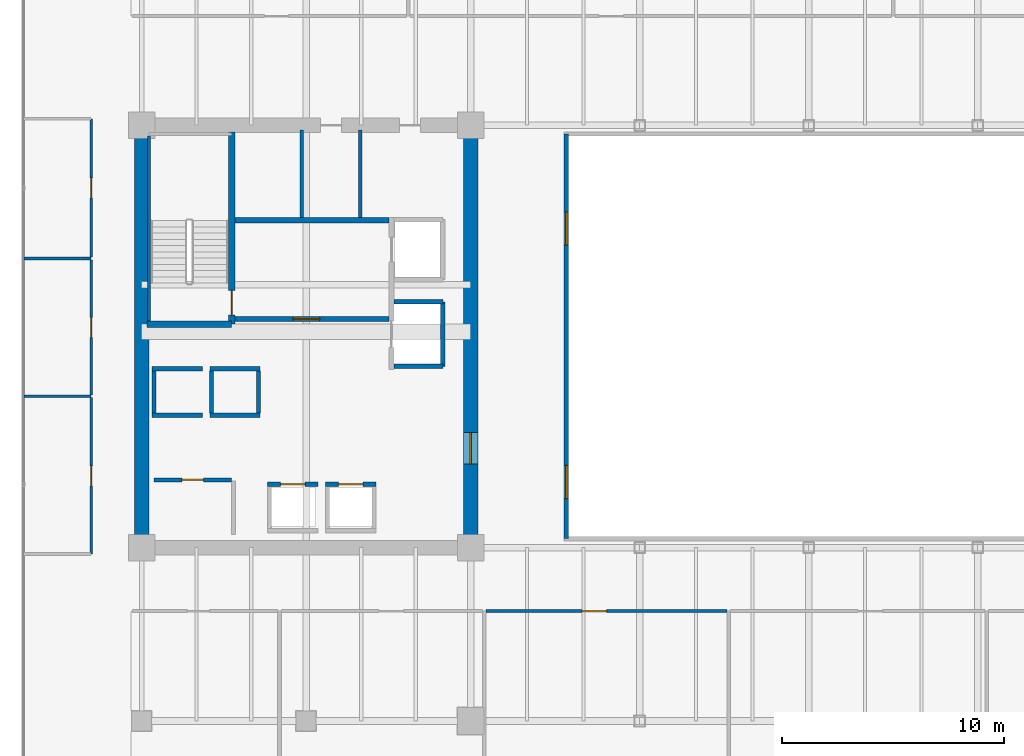
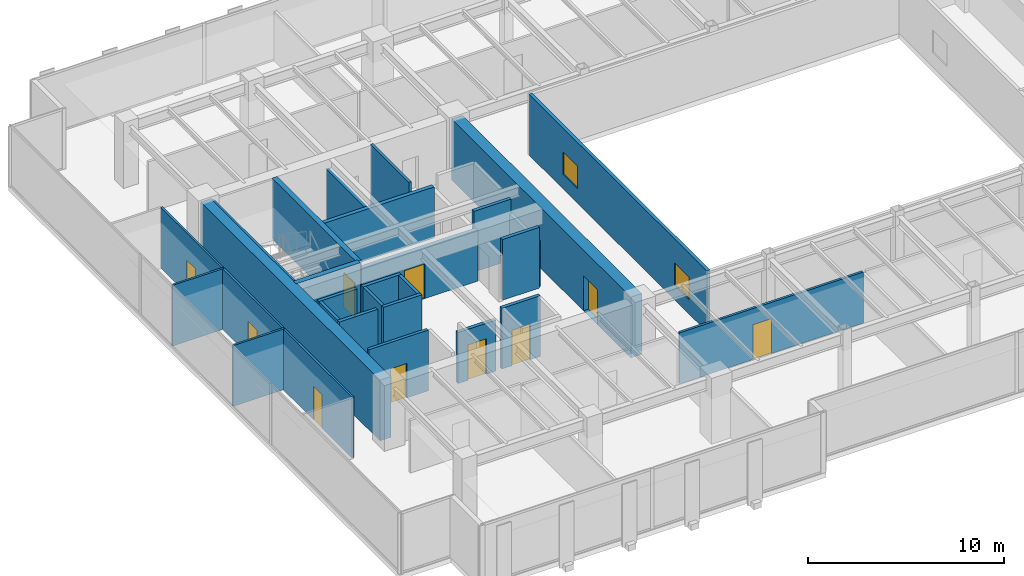
# One storey, part 25 of 34: 29 walls, 10 doors, 2 windows, 12 openings.
"""IFC4 building model written with IfcOpenShell, lengths in metres."""

from ifc_helpers import new_model, si_unit, direction, frame, frame_2d, origin, place, context, subcontext, project, spatial, rectangle, extrude, source, transform, mapped, material, layer, layer_set, type_object, type_shapes, element, fill, save


model = new_model("IFC4")

# Units and contexts
model_context = context("Model", 3, precision=1e-05, world=origin(), true_north=direction((0.0, 1.0)))
body_context = subcontext(model_context, "Body", "Model", "MODEL_VIEW")
ifc_project = project(units=[si_unit("LENGTHUNIT", "METRE"), si_unit("AREAUNIT", "SQUARE_METRE"), si_unit("VOLUMEUNIT", "CUBIC_METRE"), si_unit("PLANEANGLEUNIT", "RADIAN"), si_unit("MASSUNIT", "GRAM", prefix="KILO")], contexts=[model_context])

# Site, building, storey
site_placement = place(None, origin())
site = spatial("IfcSite", under=ifc_project, at=site_placement, CompositionType="ELEMENT")
building_placement = place(site_placement, origin())
building = spatial("IfcBuilding", under=site, at=building_placement, Name="Haelvirn Gate Laboratories", CompositionType="ELEMENT")
storey_placement = place(building_placement, frame((0.0, 0.0, 158.39990234375)))
storey = spatial("IfcBuildingStorey", under=building, at=storey_placement, Name="L38", CompositionType="ELEMENT", Elevation=158.39990234375)

# Wall, openings, windows
ifc_material_1 = material(Name="Tempered fire-rated borosilicate glass & anodised aluminium", Category="aluminium")
ifc_layer_1 = layer(ifc_material_1, 0.195068359375, Name="IW-GLAZ-200")
ifc_layer_set_1 = layer_set([ifc_layer_1], Name="Tempered fire-rated borosilicate glass & anodised aluminium")
wall_type_1 = type_object("IfcWallType", Name="IW-GLAZ-200", PredefinedType="SOLIDWALL", material=ifc_layer_set_1)
wall_1_placement = place(storey_placement, frame((26.5, 15.199951171875, 0.0), z_axis=(0.0, 0.0, 1.0), x_axis=(0.0, 1.0, 0.0)))
wall_1 = element("IfcWall", 1, at=wall_1_placement, inside=storey, type_object=wall_type_1, Name="L38 Interior Wall IW-L38-ATRIUM-W", PredefinedType="SOLIDWALL", context=body_context, shape_type="SweptSolid", body=[
    extrude(rectangle(XDim=18.199951171875, YDim=0.195068359375, at=frame_2d((9.10009765625, 0.0))), origin(), (0.0, 0.0, 1.0), 3.7900390625),
])
opening_1_placement = place(wall_1_placement, frame((1.800048828125, 0.0, 0.89990234375)))
opening_1 = element("IfcOpeningElement", 2, at=opening_1_placement, cuts=wall_1, Name="Opening W5", PredefinedType="OPENING", context=body_context, shape_type="SweptSolid", body=[
    extrude(rectangle(XDim=1.5, YDim=1.39990234375, at=frame_2d((0.75, 0.699951171875))), frame((0.0, 0.107421875, 0.0), z_axis=(0.0, -1.0, 0.0), x_axis=(1.0, 0.0, 0.0)), (0.0, 0.0, 1.0), 0.215087890625),
])
opening_2_placement = place(wall_1_placement, frame((13.199951171875, 0.0, 0.89990234375)))
opening_2 = element("IfcOpeningElement", 3, at=opening_2_placement, cuts=wall_1, Name="Opening W5", PredefinedType="OPENING", context=body_context, shape_type="SweptSolid", body=[
    extrude(rectangle(XDim=1.5, YDim=1.39990234375, at=frame_2d((0.75, 0.699951171875))), frame((0.0, 0.107421875, 0.0), z_axis=(0.0, -1.0, 0.0), x_axis=(1.0, 0.0, 0.0)), (0.0, 0.0, 1.0), 0.215087890625),
])
ifc_material_2 = material(Name="Fire-rated EI 120 borosilicate atrium vision glazing", Category="glass")
window_type = type_object("IfcWindowType", Name="WN-ATR-1500", PartitioningType="SINGLE_PANEL", PredefinedType="WINDOW", material=ifc_material_2)
shared_shape_1 = source(origin(), body_context, "Body", "SweptSolid", [
    extrude(rectangle(XDim=1.5, YDim=1.39990234375, at=frame_2d((0.75, 0.699951171875))), frame((0.0, 0.030029296875, 0.0), z_axis=(0.0, -1.0, 0.0), x_axis=(1.0, 0.0, 0.0)), (0.0, 0.0, 1.0), 0.06005859375),
])
type_shapes(window_type, [shared_shape_1])
window_1_placement = place(opening_1_placement, origin())
window_1 = element("IfcWindow", 4, at=window_1_placement, inside=storey, type_object=window_type, Name="L38 Atrium Observation Window 1", OverallHeight=1.39990234375, OverallWidth=1.5, PartitioningType="SINGLE_PANEL", PredefinedType="WINDOW", context=body_context, shape_type="MappedRepresentation", body=[
    mapped(shared_shape_1, transform((0.0, 0.0, 0.0), scale=1.0)),
])
fill(opening_1, window_1)
window_2_placement = place(opening_2_placement, origin())
window_2 = element("IfcWindow", 5, at=window_2_placement, inside=storey, type_object=window_type, Name="L38 Atrium Observation Window 2", OverallHeight=1.39990234375, OverallWidth=1.5, PartitioningType="SINGLE_PANEL", PredefinedType="WINDOW", context=body_context, shape_type="MappedRepresentation", body=[
    mapped(shared_shape_1, transform((0.0, 0.0, 0.0), scale=1.0)),
])
fill(opening_2, window_2)

# Wall, opening, door
ifc_material_3 = material(Name="Lightweight acoustic gypsum board partition", Category="gypsum")
ifc_layer_2 = layer(ifc_material_3, 0.1201171875, Name="IW-PART-120")
ifc_layer_set_2 = layer_set([ifc_layer_2], Name="Lightweight acoustic gypsum board partition")
wall_type_2 = type_object("IfcWallType", Name="IW-PART-120", PredefinedType="PARTITIONING", material=ifc_layer_set_2)
wall_2_placement = place(storey_placement, frame((5.1298828125, 14.514892578125, 0.0), z_axis=(0.0, 0.0, 1.0), x_axis=(0.0, 1.0, 0.0)))
wall_2 = element("IfcWall", 6, at=wall_2_placement, inside=storey, type_object=wall_type_2, Name="L38 Interior Wall IW-L38-WPASS-01", PredefinedType="PARTITIONING", context=body_context, shape_type="SweptSolid", body=[
    extrude(rectangle(XDim=7.025146484375, YDim=0.1201171875, at=frame_2d((3.5126953125, 0.0))), origin(), (0.0, 0.0, 1.0), 3.7900390625),
])
opening_3_placement = place(wall_2_placement, frame((3.0625, 0.0, 0.0)))
opening_3 = element("IfcOpeningElement", 7, at=opening_3_placement, cuts=wall_2, Name="Opening D4", PredefinedType="OPENING", context=body_context, shape_type="SweptSolid", body=[
    extrude(rectangle(XDim=0.89990234375, YDim=2.10009765625, at=frame_2d((0.449951171875, 1.050048828125))), frame((0.0, 0.070068359375, 0.0), z_axis=(0.0, -1.0, 0.0), x_axis=(1.0, 0.0, 0.0)), (0.0, 0.0, 1.0), 0.14013671875),
])
ifc_material_4 = material(Name="Glazed aluminium-framed write-up door", Category="aluminium")
door_type_1 = type_object("IfcDoorType", Name="DR-OFF-900", OperationType="NOTDEFINED", PredefinedType="DOOR", material=ifc_material_4)
shared_shape_2 = source(origin(), body_context, "Body", "SweptSolid", [
    extrude(rectangle(XDim=0.89990234375, YDim=2.10009765625, at=frame_2d((0.449951171875, 1.050048828125))), frame((0.0, 0.02490234375, 0.0), z_axis=(0.0, -1.0, 0.0), x_axis=(1.0, 0.0, 0.0)), (0.0, 0.0, 1.0), 0.050048828125),
])
type_shapes(door_type_1, [shared_shape_2])
door_1_placement = place(opening_3_placement, origin())
door_1 = element("IfcDoor", 8, at=door_1_placement, inside=storey, type_object=door_type_1, Name="L38 Researcher Quiet Study Door W1", OperationType="SINGLE_SWING_LEFT", OverallHeight=2.10009765625, OverallWidth=0.89990234375, PredefinedType="DOOR", context=body_context, shape_type="MappedRepresentation", body=[
    mapped(shared_shape_2, transform((0.0, 0.0, 0.0), scale=1.0)),
])
fill(opening_3, door_1)

# Wall
wall_3_placement = place(storey_placement, frame((2.110107421875, 21.60009765625, 0.0), z_axis=(0.0, 0.0, 1.0), x_axis=(1.0, 0.0, 0.0)))
element("IfcWall", 9, at=wall_3_placement, inside=storey, type_object=wall_type_2, Name="L38 Interior Wall IW-L38-WDIV-01", PredefinedType="PARTITIONING", context=body_context, shape_type="SweptSolid", body=[
    extrude(rectangle(XDim=3.019775390625, YDim=0.1201171875, at=frame_2d((1.509765625, 0.0))), origin(), (0.0, 0.0, 1.0), 3.7900390625),
])

# Wall, opening, door
wall_4_placement = place(storey_placement, frame((5.1298828125, 21.659912109375, 0.0), z_axis=(0.0, 0.0, 1.0), x_axis=(0.0, 1.0, 0.0)))
wall_4 = element("IfcWall", 10, at=wall_4_placement, inside=storey, type_object=wall_type_2, Name="L38 Interior Wall IW-L38-WPASS-02", PredefinedType="PARTITIONING", context=body_context, shape_type="SweptSolid", body=[
    extrude(rectangle(XDim=6.080078125, YDim=0.1201171875, at=frame_2d((3.0400390625, 0.0))), origin(), (0.0, 0.0, 1.0), 3.7900390625),
])
opening_4_placement = place(wall_4_placement, frame((2.590087890625, 0.0, 0.0)))
opening_4 = element("IfcOpeningElement", 11, at=opening_4_placement, cuts=wall_4, Name="Opening D4", PredefinedType="OPENING", context=body_context, shape_type="SweptSolid", body=[
    extrude(rectangle(XDim=0.89990234375, YDim=2.10009765625, at=frame_2d((0.449951171875, 1.050048828125))), frame((0.0, 0.070068359375, 0.0), z_axis=(0.0, -1.0, 0.0), x_axis=(1.0, 0.0, 0.0)), (0.0, 0.0, 1.0), 0.14013671875),
])
door_2_placement = place(opening_4_placement, origin())
door_2 = element("IfcDoor", 12, at=door_2_placement, inside=storey, type_object=door_type_1, Name="L38 Postdoctoral Reading Lounge Door W2", OperationType="SINGLE_SWING_RIGHT", OverallHeight=2.10009765625, OverallWidth=0.89990234375, PredefinedType="DOOR", context=body_context, shape_type="MappedRepresentation", body=[
    mapped(shared_shape_2, transform((0.0, 0.0, 0.0), scale=1.0)),
])
fill(opening_4, door_2)

# Wall
wall_5_placement = place(storey_placement, frame((2.110107421875, 27.800048828125, 0.0), z_axis=(0.0, 0.0, 1.0), x_axis=(1.0, 0.0, 0.0)))
element("IfcWall", 13, at=wall_5_placement, inside=storey, type_object=wall_type_2, Name="L38 Interior Wall IW-L38-WDIV-02", PredefinedType="PARTITIONING", context=body_context, shape_type="SweptSolid", body=[
    extrude(rectangle(XDim=3.019775390625, YDim=0.1201171875, at=frame_2d((1.509765625, 0.0))), origin(), (0.0, 0.0, 1.0), 3.7900390625),
])

# Wall, opening, door
wall_6_placement = place(storey_placement, frame((5.1298828125, 27.860107421875, 0.0), z_axis=(0.0, 0.0, 1.0), x_axis=(0.0, 1.0, 0.0)))
wall_6 = element("IfcWall", 14, at=wall_6_placement, inside=storey, type_object=wall_type_2, Name="L38 Interior Wall IW-L38-WPASS-03", PredefinedType="PARTITIONING", context=body_context, shape_type="SweptSolid", body=[
    extrude(rectangle(XDim=6.224853515625, YDim=0.1201171875, at=frame_2d((3.1123046875, 0.0))), origin(), (0.0, 0.0, 1.0), 3.7900390625),
])
opening_5_placement = place(wall_6_placement, frame((2.66259765625, 0.0, 0.0)))
opening_5 = element("IfcOpeningElement", 15, at=opening_5_placement, cuts=wall_6, Name="Opening D4", PredefinedType="OPENING", context=body_context, shape_type="SweptSolid", body=[
    extrude(rectangle(XDim=0.89990234375, YDim=2.10009765625, at=frame_2d((0.449951171875, 1.050048828125))), frame((0.0, 0.070068359375, 0.0), z_axis=(0.0, -1.0, 0.0), x_axis=(1.0, 0.0, 0.0)), (0.0, 0.0, 1.0), 0.14013671875),
])
door_3_placement = place(opening_5_placement, origin())
door_3 = element("IfcDoor", 16, at=door_3_placement, inside=storey, type_object=door_type_1, Name="L38 Occupational Biosafety Clinic Door W3", OperationType="SINGLE_SWING_LEFT", OverallHeight=2.10009765625, OverallWidth=0.89990234375, PredefinedType="DOOR", context=body_context, shape_type="MappedRepresentation", body=[
    mapped(shared_shape_2, transform((0.0, 0.0, 0.0), scale=1.0)),
])
fill(opening_5, door_3)

ifc_material_5 = material(Name="Acoustic mineral-wool gypsum board partition", Category="gypsum")
ifc_layer_3 = layer(ifc_material_5, 0.139892578125, Name="IW-PART-140")
ifc_layer_set_3 = layer_set([ifc_layer_3], Name="Acoustic mineral-wool gypsum board partition")
wall_type_3 = type_object("IfcWallType", Name="IW-PART-140", PredefinedType="PARTITIONING", material=ifc_layer_set_3)
wall_7_placement = place(storey_placement, frame((22.8798828125, 11.93994140625, 0.0), z_axis=(0.0, 0.0, 1.0), x_axis=(1.0, 0.0, 0.0)))
wall_7 = element("IfcWall", 17, at=wall_7_placement, inside=storey, type_object=wall_type_3, Name="L38 Interior Wall IW-L38-SCORR-03", PredefinedType="PARTITIONING", context=body_context, shape_type="SweptSolid", body=[
    extrude(rectangle(XDim=10.840087890625, YDim=0.139892578125, at=frame_2d((5.419921875, 0.0))), origin(), (0.0, 0.0, 1.0), 3.18701171875),
])
opening_6_placement = place(wall_7_placement, frame((4.32763671875, 0.0, 0.0)))
opening_6 = element("IfcOpeningElement", 18, at=opening_6_placement, cuts=wall_7, Name="Opening D1", PredefinedType="OPENING", context=body_context, shape_type="SweptSolid", body=[
    extrude(rectangle(XDim=1.10009765625, YDim=2.179931640625, at=frame_2d((0.550048828125, 1.08984375))), frame((0.0, 0.080078125, 0.0), z_axis=(0.0, -1.0, 0.0), x_axis=(1.0, 0.0, 0.0)), (0.0, 0.0, 1.0), 0.159912109375),
])
ifc_material_6 = material(Name="Vision-panel acoustic solid-core timber lab door", Category="wood")
door_type_2 = type_object("IfcDoorType", Name="DR-LAB-1100", OperationType="NOTDEFINED", PredefinedType="DOOR", material=ifc_material_6)
shared_shape_3 = source(origin(), body_context, "Body", "SweptSolid", [
    extrude(rectangle(XDim=1.10009765625, YDim=2.179931640625, at=frame_2d((0.550048828125, 1.08984375))), frame((0.0, 0.02490234375, 0.0), z_axis=(0.0, -1.0, 0.0), x_axis=(1.0, 0.0, 0.0)), (0.0, 0.0, 1.0), 0.050048828125),
])
type_shapes(door_type_2, [shared_shape_3])
door_4_placement = place(opening_6_placement, origin())
door_4 = element("IfcDoor", 19, at=door_4_placement, inside=storey, type_object=door_type_2, Name="L38 Peer-Review Seminar Room Door S3", OperationType="SINGLE_SWING_LEFT", OverallHeight=2.179931640625, OverallWidth=1.10009765625, PredefinedType="DOOR", context=body_context, shape_type="MappedRepresentation", body=[
    mapped(shared_shape_3, transform((0.0, 0.0, 0.0), scale=1.0)),
])
fill(opening_6, door_4)

# Walls
ifc_material_7 = material(Name="Cement-board restroom plumbing chase wall", Category="gypsum")
ifc_layer_4 = layer(ifc_material_7, 0.155029296875, Name="IW-PLUMB-160")
ifc_layer_set_4 = layer_set([ifc_layer_4], Name="Cement-board restroom plumbing chase wall")
wall_type_4 = type_object("IfcWallType", Name="IW-PLUMB-160", PredefinedType="PLUMBINGWALL", material=ifc_layer_set_4)
wall_8_placement = place(storey_placement, frame((14.610107421875, 29.64990234375, 0.0), z_axis=(0.0, 0.0, 1.0), x_axis=(0.0, 1.0, 0.0)))
element("IfcWall", 20, at=wall_8_placement, inside=storey, type_object=wall_type_4, Name="L38 Interior Wall IW-L38-W-CDIV-0", PredefinedType="PLUMBINGWALL", context=body_context, shape_type="SweptSolid", body=[
    extrude(rectangle(XDim=3.93017578125, YDim=0.155029296875, at=frame_2d((1.965087890625, 0.0))), origin(), (0.0, 0.0, 1.0), 3.18701171875),
])
wall_9_placement = place(storey_placement, frame((17.239990234375, 29.64990234375, 0.0), z_axis=(0.0, 0.0, 1.0), x_axis=(0.0, 1.0, 0.0)))
element("IfcWall", 21, at=wall_9_placement, inside=storey, type_object=wall_type_4, Name="L38 Interior Wall IW-L38-W-CDIV-1", PredefinedType="PLUMBINGWALL", context=body_context, shape_type="SweptSolid", body=[
    extrude(rectangle(XDim=3.93017578125, YDim=0.155029296875, at=frame_2d((1.965087890625, 0.0))), origin(), (0.0, 0.0, 1.0), 3.7900390625),
])
ifc_material_8 = material(Name="Concrete C40/50", Category="concrete")
ifc_layer_5 = layer(ifc_material_8, 0.179931640625, Name="IW-SHAFT-180")
ifc_layer_set_5 = layer_set([ifc_layer_5], Name="Concrete C40/50")
wall_type_5 = type_object("IfcWallType", Name="IW-SHAFT-180", PredefinedType="SOLIDWALL", material=ifc_layer_set_5)
for number, where, z_axis, x_axis, name in (
    (22, (7.949951171875, 20.85009765625, 0.0), (0.0, 0.0, 1.0), (0.0, 1.0, 0.0), "L38 Interior Wall IW-L38-PL9-SD"),
    (23, (10.550048828125, 20.85009765625, 0.0), (0.0, 0.0, 1.0), (0.0, 1.0, 0.0), "L38 Interior Wall IW-L38-PL10-SD"),
    (24, (12.64990234375, 20.85009765625, 0.0), (0.0, 0.0, 1.0), (0.0, 1.0, 0.0), "L38 Interior Wall IW-L38-PL10-SDE"),
):
    element("IfcWall", number, at=place(storey_placement, frame(where, z_axis=z_axis, x_axis=x_axis)), inside=storey, type_object=wall_type_5, Name=name, PredefinedType="SOLIDWALL", context=body_context, shape_type="SweptSolid", body=[
        extrude(rectangle(XDim=1.89990234375, YDim=0.179931640625, at=frame_2d((0.949951171875, 0.0))), origin(), (0.0, 0.0, 1.0), 3.7900390625),
    ])

# Wall, opening, door
wall_10_placement = place(storey_placement, frame((7.949951171875, 17.85009765625, 0.0), z_axis=(0.0, 0.0, 1.0), x_axis=(1.0, 0.0, 0.0)))
wall_10 = element("IfcWall", 25, at=wall_10_placement, inside=storey, type_object=wall_type_5, Name="L38 Interior Wall IW-L38-W-FREED-LN-1", PredefinedType="SOLIDWALL", context=body_context, shape_type="SweptSolid", body=[
    extrude(rectangle(XDim=3.5, YDim=0.179931640625, at=frame_2d((1.75, 0.0))), origin(), (0.0, 0.0, 1.0), 3.7900390625),
])
opening_7_placement = place(wall_10_placement, frame((1.27490234375, 0.0, 0.0)))
opening_7 = element("IfcOpeningElement", 26, at=opening_7_placement, cuts=wall_10, Name="Opening FD4", PredefinedType="OPENING", context=body_context, shape_type="SweptSolid", body=[
    extrude(rectangle(XDim=0.949951171875, YDim=2.14990234375, at=frame_2d((0.47509765625, 1.074951171875))), frame((0.0, 0.10009765625, 0.0), z_axis=(0.0, -1.0, 0.0), x_axis=(1.0, 0.0, 0.0)), (0.0, 0.0, 1.0), 0.199951171875),
])
ifc_material_9 = material(Name="Fire-rated steel SM355 core service door", Category="steel")
door_type_3 = type_object("IfcDoorType", Name="DR-FD-950", OperationType="NOTDEFINED", PredefinedType="DOOR", material=ifc_material_9)
shared_shape_4 = source(origin(), body_context, "Body", "SweptSolid", [
    extrude(rectangle(XDim=0.949951171875, YDim=2.14990234375, at=frame_2d((0.47509765625, 1.074951171875))), frame((0.0, 0.02490234375, 0.0), z_axis=(0.0, -1.0, 0.0), x_axis=(1.0, 0.0, 0.0)), (0.0, 0.0, 1.0), 0.050048828125),
])
type_shapes(door_type_3, [shared_shape_4])
door_5_placement = place(opening_7_placement, origin())
door_5 = element("IfcDoor", 27, at=door_5_placement, inside=storey, type_object=door_type_3, Name="L38 Core Calibration Room Door", OperationType="SINGLE_SWING_LEFT", OverallHeight=2.14990234375, OverallWidth=0.949951171875, PredefinedType="DOOR", context=body_context, shape_type="MappedRepresentation", body=[
    mapped(shared_shape_4, transform((0.0, 0.0, 0.0), scale=1.0)),
])
fill(opening_7, door_5)

ifc_layer_6 = layer(ifc_material_8, 0.199951171875, Name="IW-SHAFT-200")
ifc_layer_set_6 = layer_set([ifc_layer_6], Name="Concrete C40/50")
wall_type_6 = type_object("IfcWallType", Name="IW-SHAFT-200", PredefinedType="SOLIDWALL", material=ifc_layer_set_6)
wall_11_placement = place(storey_placement, frame((13.070068359375, 17.64990234375, 0.0), z_axis=(0.0, 0.0, 1.0), x_axis=(1.0, 0.0, 0.0)))
wall_11 = element("IfcWall", 28, at=wall_11_placement, inside=storey, type_object=wall_type_6, Name="L38 Interior Wall IW-L38-PL5-FR", PredefinedType="SOLIDWALL", context=body_context, shape_type="SweptSolid", body=[
    extrude(rectangle(XDim=2.260009765625, YDim=0.199951171875, at=frame_2d((1.1298828125, 0.0))), origin(), (0.0, 0.0, 1.0), 3.18701171875),
])
opening_8_placement = place(wall_11_placement, frame((0.580078125, 0.0, 0.0)))
opening_8 = element("IfcOpeningElement", 29, at=opening_8_placement, cuts=wall_11, Name="Opening LD2", PredefinedType="OPENING", context=body_context, shape_type="SweptSolid", body=[
    extrude(rectangle(XDim=1.10009765625, YDim=2.219970703125, at=frame_2d((0.550048828125, 1.10986328125))), frame((0.0, 0.10986328125, 0.0), z_axis=(0.0, -1.0, 0.0), x_axis=(1.0, 0.0, 0.0)), (0.0, 0.0, 1.0), 0.219970703125),
])
ifc_material_10 = material(Name="Bronze stainless 316L sliding lift landing door")
door_type_4 = type_object("IfcDoorType", Name="DR-LD-1100", OperationType="NOTDEFINED", PredefinedType="USERDEFINED", material=ifc_material_10)
shared_shape_5 = source(origin(), body_context, "Body", "SweptSolid", [
    extrude(rectangle(XDim=1.10009765625, YDim=2.219970703125, at=frame_2d((0.550048828125, 1.10986328125))), frame((0.0, 0.02490234375, 0.0), z_axis=(0.0, -1.0, 0.0), x_axis=(1.0, 0.0, 0.0)), (0.0, 0.0, 1.0), 0.050048828125),
])
type_shapes(door_type_4, [shared_shape_5])
door_6_placement = place(opening_8_placement, origin())
door_6 = element("IfcDoor", 30, at=door_6_placement, inside=storey, type_object=door_type_4, Name="L38 Passenger Lift PL5 Landing Door", ObjectType="LANDING_DOOR", OperationType="SLIDING_TO_LEFT", OverallHeight=2.219970703125, OverallWidth=1.10009765625, PredefinedType="USERDEFINED", context=body_context, shape_type="MappedRepresentation", body=[
    mapped(shared_shape_5, transform((0.0, 0.0, 0.0), scale=1.0)),
])
fill(opening_8, door_6)

wall_12_placement = place(storey_placement, frame((15.669921875, 17.64990234375, 0.0), z_axis=(0.0, 0.0, 1.0), x_axis=(1.0, 0.0, 0.0)))
wall_12 = element("IfcWall", 31, at=wall_12_placement, inside=storey, type_object=wall_type_6, Name="L38 Interior Wall IW-L38-PL6-FR", PredefinedType="SOLIDWALL", context=body_context, shape_type="SweptSolid", body=[
    extrude(rectangle(XDim=2.260009765625, YDim=0.199951171875, at=frame_2d((1.1298828125, 0.0))), origin(), (0.0, 0.0, 1.0), 3.7900390625),
])
opening_9_placement = place(wall_12_placement, frame((0.580078125, 0.0, 0.0)))
opening_9 = element("IfcOpeningElement", 32, at=opening_9_placement, cuts=wall_12, Name="Opening LD2", PredefinedType="OPENING", context=body_context, shape_type="SweptSolid", body=[
    extrude(rectangle(XDim=1.10009765625, YDim=2.219970703125, at=frame_2d((0.550048828125, 1.10986328125))), frame((0.0, 0.10986328125, 0.0), z_axis=(0.0, -1.0, 0.0), x_axis=(1.0, 0.0, 0.0)), (0.0, 0.0, 1.0), 0.219970703125),
])
door_7_placement = place(opening_9_placement, origin())
door_7 = element("IfcDoor", 33, at=door_7_placement, inside=storey, type_object=door_type_4, Name="L38 Passenger Lift PL6 Landing Door", ObjectType="LANDING_DOOR", OperationType="SLIDING_TO_RIGHT", OverallHeight=2.219970703125, OverallWidth=1.10009765625, PredefinedType="USERDEFINED", context=body_context, shape_type="MappedRepresentation", body=[
    mapped(shared_shape_5, transform((0.0, 0.0, 0.0), scale=1.0)),
])
fill(opening_9, door_7)

# Walls
for number, where, z_axis, x_axis, name in (
    (34, (7.8701171875, 20.75, 0.0), (0.0, 0.0, 1.0), (1.0, 0.0, 0.0), "L38 Interior Wall IW-L38-PL9-FR"),
    (35, (7.8701171875, 22.85009765625, 0.0), (0.0, 0.0, 1.0), (1.0, 0.0, 0.0), "L38 Interior Wall IW-L38-PL9-BK"),
):
    element("IfcWall", number, at=place(storey_placement, frame(where, z_axis=z_axis, x_axis=x_axis)), inside=storey, type_object=wall_type_6, Name=name, PredefinedType="SOLIDWALL", context=body_context, shape_type="SweptSolid", body=[
        extrude(rectangle(XDim=2.259765625, YDim=0.199951171875, at=frame_2d((1.1298828125, 0.0))), origin(), (0.0, 0.0, 1.0), 3.7900390625),
    ])
for number, where, z_axis, x_axis, name in (
    (36, (10.469970703125, 20.75, 0.0), (0.0, 0.0, 1.0), (1.0, 0.0, 0.0), "L38 Interior Wall IW-L38-PL10-FR"),
    (37, (10.469970703125, 22.85009765625, 0.0), (0.0, 0.0, 1.0), (1.0, 0.0, 0.0), "L38 Interior Wall IW-L38-PL10-BK"),
):
    element("IfcWall", number, at=place(storey_placement, frame(where, z_axis=z_axis, x_axis=x_axis)), inside=storey, type_object=wall_type_6, Name=name, PredefinedType="SOLIDWALL", context=body_context, shape_type="SweptSolid", body=[
        extrude(rectangle(XDim=2.260009765625, YDim=0.199951171875, at=frame_2d((1.1298828125, 0.0))), origin(), (0.0, 0.0, 1.0), 3.7900390625),
    ])
wall_13_placement = place(storey_placement, frame((20.949951171875, 22.949951171875, 0.0), z_axis=(0.0, 0.0, 1.0), x_axis=(0.0, 1.0, 0.0)))
element("IfcWall", 38, at=wall_13_placement, inside=storey, type_object=wall_type_6, Name="L38 Interior Wall IW-L38-SL1-BK", PredefinedType="SOLIDWALL", context=body_context, shape_type="SweptSolid", body=[
    extrude(rectangle(XDim=2.900146484375, YDim=0.199951171875, at=frame_2d((1.4501953125, 0.0))), origin(), (0.0, 0.0, 1.0), 2.875),
])
for number, where, z_axis, x_axis, name in (
    (39, (18.760009765625, 25.85009765625, 0.0), (0.0, 0.0, 1.0), (1.0, 0.0, 0.0), "L38 Interior Wall IW-L38-SL1-N"),
    (40, (18.760009765625, 22.949951171875, 0.0), (0.0, 0.0, 1.0), (1.0, 0.0, 0.0), "L38 Interior Wall IW-L38-SL1-S"),
):
    element("IfcWall", number, at=place(storey_placement, frame(where, z_axis=z_axis, x_axis=x_axis)), inside=storey, type_object=wall_type_6, Name=name, PredefinedType="SOLIDWALL", context=body_context, shape_type="SweptSolid", body=[
        extrude(rectangle(XDim=2.18994140625, YDim=0.199951171875, at=frame_2d((1.094970703125, 0.0))), origin(), (0.0, 0.0, 1.0), 3.7900390625),
    ])

# Wall, opening, door
ifc_layer_7 = layer(ifc_material_8, 0.239990234375, Name="IW-SHAFT-240")
ifc_layer_set_7 = layer_set([ifc_layer_7], Name="Concrete C40/50")
wall_type_7 = type_object("IfcWallType", Name="IW-SHAFT-240", PredefinedType="SOLIDWALL", material=ifc_layer_set_7)
wall_14_placement = place(storey_placement, frame((11.60009765625, 25.080078125, 0.0), z_axis=(0.0, 0.0, 1.0), x_axis=(1.0, 0.0, 0.0)))
wall_14 = element("IfcWall", 41, at=wall_14_placement, inside=storey, type_object=wall_type_7, Name="L38 Interior Wall IW-L38-W-FF-S", PredefinedType="SOLIDWALL", context=body_context, shape_type="SweptSolid", body=[
    extrude(rectangle(XDim=6.919921875, YDim=0.239990234375, at=frame_2d((3.4599609375, 0.0))), origin(), (0.0, 0.0, 1.0), 3.18701171875),
])
opening_10_placement = place(wall_14_placement, frame((2.60009765625, 0.0, 0.0)))
opening_10 = element("IfcOpeningElement", 42, at=opening_10_placement, cuts=wall_14, Name="Opening FD2", PredefinedType="OPENING", context=body_context, shape_type="SweptSolid", body=[
    extrude(rectangle(XDim=1.199951171875, YDim=2.159912109375, at=frame_2d((0.60009765625, 1.080078125))), frame((0.0, 0.1298828125, 0.0), z_axis=(0.0, -1.0, 0.0), x_axis=(1.0, 0.0, 0.0)), (0.0, 0.0, 1.0), 0.260009765625),
])
ifc_material_11 = material(Name="Fire-rated steel SM355 compartment door", Category="steel")
door_type_5 = type_object("IfcDoorType", Name="DR-FD-1200", OperationType="NOTDEFINED", PredefinedType="DOOR", material=ifc_material_11)
shared_shape_6 = source(origin(), body_context, "Body", "SweptSolid", [
    extrude(rectangle(XDim=1.199951171875, YDim=2.159912109375, at=frame_2d((0.60009765625, 1.080078125))), frame((0.0, 0.02490234375, 0.0), z_axis=(0.0, -1.0, 0.0), x_axis=(1.0, 0.0, 0.0)), (0.0, 0.0, 1.0), 0.050048828125),
])
type_shapes(door_type_5, [shared_shape_6])
door_8_placement = place(opening_10_placement, origin())
door_8 = element("IfcDoor", 43, at=door_8_placement, inside=storey, type_object=door_type_5, Name="L38 West Firefighting Lobby Door", OperationType="SINGLE_SWING_RIGHT", OverallHeight=2.159912109375, OverallWidth=1.199951171875, PredefinedType="DOOR", context=body_context, shape_type="MappedRepresentation", body=[
    mapped(shared_shape_6, transform((0.0, 0.0, 0.0), scale=1.0)),
])
fill(opening_10, door_8)

# Walls
wall_15_placement = place(storey_placement, frame((11.60009765625, 29.52001953125, 0.0), z_axis=(0.0, 0.0, 1.0), x_axis=(1.0, 0.0, 0.0)))
element("IfcWall", 44, at=wall_15_placement, inside=storey, type_object=wall_type_7, Name="L38 Interior Wall IW-L38-W-FF-N", PredefinedType="SOLIDWALL", context=body_context, shape_type="SweptSolid", body=[
    extrude(rectangle(XDim=6.919921875, YDim=0.239990234375, at=frame_2d((3.4599609375, 0.0))), origin(), (0.0, 0.0, 1.0), 3.18701171875),
])
ifc_material_12 = material(Name="Concrete C60/75", Category="concrete")
ifc_layer_8 = layer(ifc_material_12, 0.64990234375, Name="SW-CORE-650")
ifc_layer_set_8 = layer_set([ifc_layer_8], Name="Concrete C60/75")
wall_type_8 = type_object("IfcWallType", Name="SW-CORE-650", PredefinedType="SHEAR", material=ifc_layer_set_8)
wall_16_placement = place(storey_placement, frame((7.39990234375, 15.125, 0.0), z_axis=(0.0, 0.0, 1.0), x_axis=(0.0, 1.0, 0.0)))
element("IfcWall", 45, at=wall_16_placement, inside=storey, type_object=wall_type_8, Name="L38 W Core Shear Wall W", PredefinedType="SHEAR", context=body_context, shape_type="SweptSolid", body=[
    extrude(rectangle(XDim=18.35009765625, YDim=0.64990234375, at=frame_2d((9.175048828125, 0.0))), origin(), (0.0, 0.0, 1.0), 3.7900390625),
])

# Wall, opening, door
wall_17_placement = place(storey_placement, frame((22.199951171875, 15.125, 0.0), z_axis=(0.0, 0.0, 1.0), x_axis=(0.0, 1.0, 0.0)))
wall_17 = element("IfcWall", 46, at=wall_17_placement, inside=storey, type_object=wall_type_8, Name="L38 W Core Shear Wall E", PredefinedType="SHEAR", context=body_context, shape_type="SweptSolid", body=[
    extrude(rectangle(XDim=18.35009765625, YDim=0.64990234375, at=frame_2d((9.175048828125, 0.0))), origin(), (0.0, 0.0, 1.0), 3.7900390625),
])
opening_11_placement = place(wall_17_placement, frame((3.425048828125, 0.0, 0.0)))
opening_11 = element("IfcOpeningElement", 47, at=opening_11_placement, cuts=wall_17, Name="Opening FD1", PredefinedType="OPENING", context=body_context, shape_type="SweptSolid", body=[
    extrude(rectangle(XDim=1.419921875, YDim=2.199951171875, at=frame_2d((0.7099609375, 1.10009765625))), frame((0.0, 0.3349609375, 0.0), z_axis=(0.0, -1.0, 0.0), x_axis=(1.0, 0.0, 0.0)), (0.0, 0.0, 1.0), 0.669921875),
])
ifc_material_13 = material(Name="Fire-rated double steel SM355 lobby door", Category="steel")
door_type_6 = type_object("IfcDoorType", Name="DR-FD-1400", OperationType="NOTDEFINED", PredefinedType="DOOR", material=ifc_material_13)
shared_shape_7 = source(origin(), body_context, "Body", "SweptSolid", [
    extrude(rectangle(XDim=1.419921875, YDim=2.199951171875, at=frame_2d((0.7099609375, 1.10009765625))), frame((0.0, 0.02490234375, 0.0), z_axis=(0.0, -1.0, 0.0), x_axis=(1.0, 0.0, 0.0)), (0.0, 0.0, 1.0), 0.050048828125),
])
type_shapes(door_type_6, [shared_shape_7])
door_9_placement = place(opening_11_placement, origin())
door_9 = element("IfcDoor", 48, at=door_9_placement, inside=storey, type_object=door_type_6, Name="L38 West Core Lift Lobby Fire Door", OperationType="DOUBLE_DOOR_SINGLE_SWING", OverallHeight=2.199951171875, OverallWidth=1.419921875, PredefinedType="DOOR", context=body_context, shape_type="MappedRepresentation", body=[
    mapped(shared_shape_7, transform((0.0, 0.0, 0.0), scale=1.0)),
])
fill(opening_11, door_9)

# Wall
ifc_material_14 = material(Name="Concrete C50/60", Category="concrete")
ifc_layer_9 = layer(ifc_material_14, 0.1201171875, Name="SW-LINER-120")
ifc_layer_set_9 = layer_set([ifc_layer_9], Name="Concrete C50/60")
wall_type_9 = type_object("IfcWallType", Name="SW-LINER-120", PredefinedType="SOLIDWALL", material=ifc_layer_set_9)
wall_18_placement = place(storey_placement, frame((7.72998046875, 25.0, 0.0), z_axis=(0.0, 0.0, 1.0), x_axis=(0.0, 1.0, 0.0)))
element("IfcWall", 49, at=wall_18_placement, inside=storey, type_object=wall_type_9, Name="L38 W Core Stair Shaft Liner Wall OUT", PredefinedType="SOLIDWALL", context=body_context, shape_type="SweptSolid", body=[
    extrude(rectangle(XDim=8.320068359375, YDim=0.1201171875, at=frame_2d((4.16015625, 0.0))), origin(), (0.0, 0.0, 1.0), 3.7900390625),
])

# Wall, opening, door
ifc_layer_10 = layer(ifc_material_14, 0.300048828125, Name="SW-STAIR-300")
ifc_layer_set_10 = layer_set([ifc_layer_10], Name="Concrete C50/60")
wall_type_10 = type_object("IfcWallType", Name="SW-STAIR-300", PredefinedType="SHEAR", material=ifc_layer_set_10)
wall_19_placement = place(storey_placement, frame((11.449951171875, 24.85009765625, 0.0), z_axis=(0.0, 0.0, 1.0), x_axis=(0.0, 1.0, 0.0)))
wall_19 = element("IfcWall", 50, at=wall_19_placement, inside=storey, type_object=wall_type_10, Name="L38 W Core Stair Shaft Structural Wall IN", PredefinedType="SHEAR", context=body_context, shape_type="SweptSolid", body=[
    extrude(rectangle(XDim=8.6298828125, YDim=0.300048828125, at=frame_2d((4.31494140625, 0.0))), origin(), (0.0, 0.0, 1.0), 3.7900390625),
])
opening_12_placement = place(wall_19_placement, frame((0.419921875, 0.0, 0.0)))
opening_12 = element("IfcOpeningElement", 51, at=opening_12_placement, cuts=wall_19, Name="Opening FD3", PredefinedType="OPENING", context=body_context, shape_type="SweptSolid", body=[
    extrude(rectangle(XDim=1.10009765625, YDim=2.14990234375, at=frame_2d((0.550048828125, 1.074951171875))), frame((0.0, 0.16015625, 0.0), z_axis=(0.0, -1.0, 0.0), x_axis=(1.0, 0.0, 0.0)), (0.0, 0.0, 1.0), 0.320068359375),
])
ifc_material_15 = material(Name="Fire-rated steel SM355 escape stair door", Category="steel")
door_type_7 = type_object("IfcDoorType", Name="DR-FD-1100", OperationType="NOTDEFINED", PredefinedType="DOOR", material=ifc_material_15)
shared_shape_8 = source(origin(), body_context, "Body", "SweptSolid", [
    extrude(rectangle(XDim=1.10009765625, YDim=2.14990234375, at=frame_2d((0.550048828125, 1.074951171875))), frame((0.0, 0.02490234375, 0.0), z_axis=(0.0, -1.0, 0.0), x_axis=(1.0, 0.0, 0.0)), (0.0, 0.0, 1.0), 0.050048828125),
])
type_shapes(door_type_7, [shared_shape_8])
door_10_placement = place(opening_12_placement, origin())
door_10 = element("IfcDoor", 52, at=door_10_placement, inside=storey, type_object=door_type_7, Name="L38 Escape Stair ST1 Fire Door", OperationType="SINGLE_SWING_LEFT", OverallHeight=2.14990234375, OverallWidth=1.10009765625, PredefinedType="DOOR", context=body_context, shape_type="MappedRepresentation", body=[
    mapped(shared_shape_8, transform((0.0, 0.0, 0.0), scale=1.0)),
])
fill(opening_12, door_10)

# Wall
wall_20_placement = place(storey_placement, frame((7.64990234375, 24.85009765625, 0.0), z_axis=(0.0, 0.0, 1.0), x_axis=(1.0, 0.0, 0.0)))
element("IfcWall", 53, at=wall_20_placement, inside=storey, type_object=wall_type_10, Name="L38 W Core Stair Shaft Structural Wall S", PredefinedType="SHEAR", context=body_context, shape_type="SweptSolid", body=[
    extrude(rectangle(XDim=3.800048828125, YDim=0.300048828125, at=frame_2d((1.89990234375, 0.0))), origin(), (0.0, 0.0, 1.0), 3.7900390625),
])

save(model, "model.ifc")
